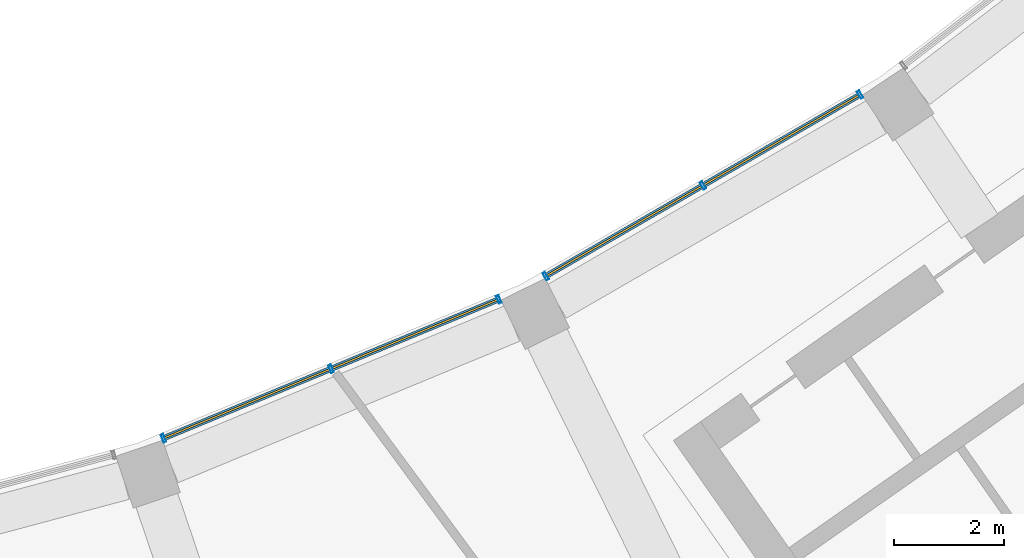
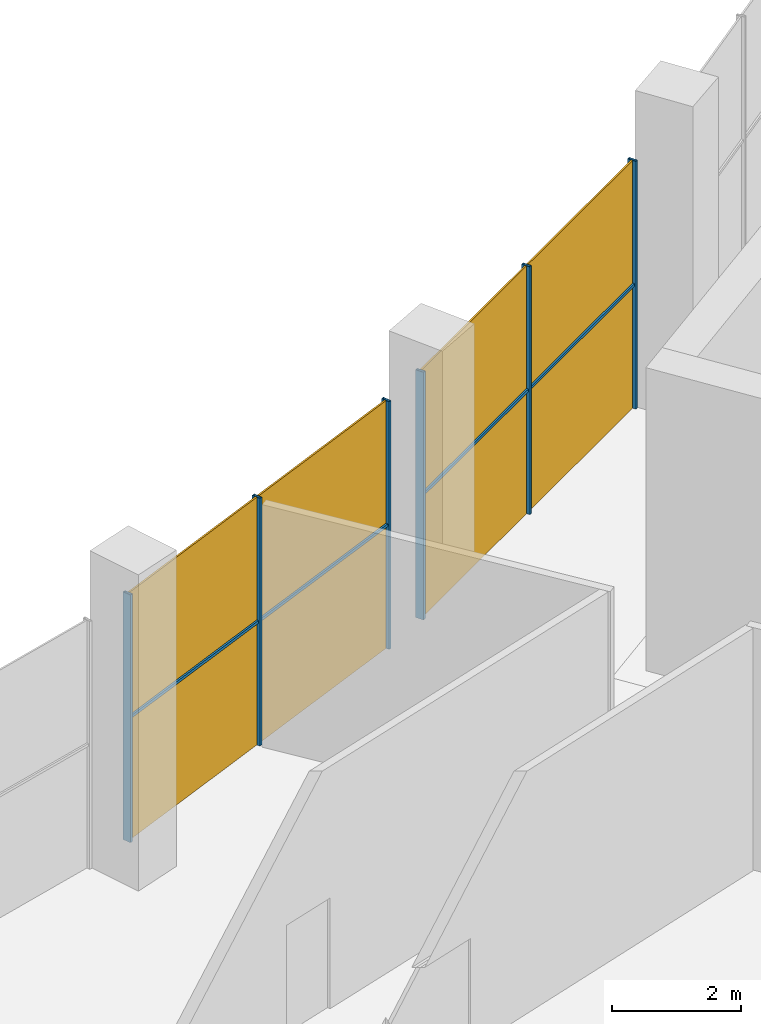
# One storey, part 34 of 41: 10 members, 2 curtain walls.
"""IFC4 building model written with IfcOpenShell, lengths in metres."""

import ifcopenshell
import ifcopenshell.guid

model = None  # the IFC model being written
_history = None  # IfcOwnerHistory: only IFC2X3 demands one
_inside = {}  # id of a spatial element -> (the spatial element, [elements in it])
_under = {}  # id of a project, library or spatial element -> (it, [spatial elements below it])
_declared = {}  # id of a project -> (the project, [libraries it declares])
_typed = {}  # id of a type object -> (the type object, [elements of that type])
_made_of = {}  # id of a material, layer set ... -> (it, [elements and type objects made of it])


def new_model(schema):
    """Start an empty IFC model of exactly this schema.

    Asked for "IFC4X3", IfcOpenShell would pick the latest addendum, in which some entities
    have other attributes; the version numbers below select the first issue.
    IFC2X3 requires an IfcOwnerHistory on every rooted entity: one is made here for all.
    """
    global model, _history
    if schema == "IFC4X3":
        model = ifcopenshell.file(schema_version=(4, 3, 0, 0))
    else:
        model = ifcopenshell.file(schema=schema)
    _inside.clear()
    _under.clear()
    _declared.clear()
    _typed.clear()
    _made_of.clear()
    _history = None
    if model.schema == "IFC2X3":
        org = make("IfcOrganization", Name="unknown")
        user = make(
            "IfcPersonAndOrganization",
            ThePerson=make("IfcPerson", FamilyName="unknown"),
            TheOrganization=org,
        )
        app = make(
            "IfcApplication",
            ApplicationDeveloper=org,
            Version="unknown",
            ApplicationFullName="unknown",
            ApplicationIdentifier="unknown",
        )
        _history = make(
            "IfcOwnerHistory",
            OwningUser=user,
            OwningApplication=app,
            ChangeAction="ADDED",
            CreationDate=0,
        )
    return model


def make(cls, **values):
    """One entity of the class cls with the attributes given. An attribute that is None is left unset."""
    return model.create_entity(
        cls, **{name: value for name, value in values.items() if value is not None}
    )


def rooted(cls, **values):
    """An entity with a GlobalId (a new one), such as an element, a storey or a relation."""
    return make(cls, GlobalId=ifcopenshell.guid.new(), OwnerHistory=_history, **values)


def si_unit(unit_type, name, prefix=None):
    """IfcSIUnit, for example si_unit("LENGTHUNIT", "METRE", prefix="MILLI")."""
    return make("IfcSIUnit", UnitType=unit_type, Prefix=prefix, Name=name)


def assignment(units):
    """IfcUnitAssignment: the units of a project."""
    return None if units is None else make("IfcUnitAssignment", Units=units)


def point(xyz):
    """IfcCartesianPoint."""
    return None if xyz is None else make("IfcCartesianPoint", Coordinates=xyz)


def direction(xyz):
    """IfcDirection."""
    return None if xyz is None else make("IfcDirection", DirectionRatios=xyz)


def frame(location, z_axis=None, x_axis=None):
    """IfcAxis2Placement3D, a coordinate frame: its origin and axes. An axis left out is left unset."""
    return make(
        "IfcAxis2Placement3D",
        Location=point(location),
        Axis=direction(z_axis),
        RefDirection=direction(x_axis),
    )


def frame_2d(location, x_axis=None):
    """IfcAxis2Placement2D, a coordinate frame in the plane: its origin and x axis."""
    return make(
        "IfcAxis2Placement2D", Location=point(location), RefDirection=direction(x_axis)
    )


def origin():
    """The frame at (0, 0, 0) with its axes left unset."""
    return frame((0.0, 0.0, 0.0))


def origin_2d():
    """The frame at (0, 0) in the plane with its x axis left unset."""
    return frame_2d((0.0, 0.0))


def place(relative_to, where):
    """IfcLocalPlacement: puts the frame where relative to a parent placement (None: the world)."""
    return make(
        "IfcLocalPlacement", PlacementRelTo=relative_to, RelativePlacement=where
    )


def context(
    kind, dimensions, precision=None, world=None, true_north=None, identifier=None
):
    """IfcGeometricRepresentationContext, for example the 3D "Model" context."""
    return make(
        "IfcGeometricRepresentationContext",
        ContextIdentifier=identifier,
        ContextType=kind,
        CoordinateSpaceDimension=dimensions,
        Precision=precision,
        WorldCoordinateSystem=world,
        TrueNorth=true_north,
    )


def subcontext(parent, identifier, kind, view, scale=None):
    """IfcGeometricRepresentationSubContext, for example "Body" below "Model"."""
    return make(
        "IfcGeometricRepresentationSubContext",
        ContextIdentifier=identifier,
        ContextType=kind,
        ParentContext=parent,
        TargetScale=scale,
        TargetView=view,
    )


def project(units=None, contexts=None):
    """IfcProject with its units and contexts."""
    return rooted(
        "IfcProject",
        Name="project",
        RepresentationContexts=contexts,
        UnitsInContext=assignment(units),
    )


def spatial(cls, under=None, at=None, **own):
    """A site, building, storey or space (cls), placed at a placement, below another one or the project."""
    s = rooted(cls, ObjectPlacement=at, **own)
    if under is not None:
        _under.setdefault(under.id(), (under, []))[1].append(s)
    return s


def profile(cls, at=None, kind="AREA", **sizes):
    """A parametric profile (cls). Its sizes go by their IFC names, for example OverallWidth=200.0."""
    return make(cls, ProfileType=kind, Position=at, **sizes)


def rectangle(**sizes):
    """IfcRectangleProfileDef."""
    return profile("IfcRectangleProfileDef", **sizes)


def hollow_rectangle(**sizes):
    """IfcRectangleHollowProfileDef."""
    return profile("IfcRectangleHollowProfileDef", **sizes)


def extrude(swept, where, along, depth):
    """IfcExtrudedAreaSolid: the profile swept, set in the frame where, extruded along a direction by depth."""
    return make(
        "IfcExtrudedAreaSolid",
        SweptArea=swept,
        Position=where,
        ExtrudedDirection=direction(along),
        Depth=depth,
    )


def shape(context_of_items, identifier, shape_type, items):
    """IfcShapeRepresentation: the items that make up one representation, for example the "Body"."""
    return make(
        "IfcShapeRepresentation",
        ContextOfItems=context_of_items,
        RepresentationIdentifier=identifier,
        RepresentationType=shape_type,
        Items=items,
    )


def material(Name=None, Category=None):
    """IfcMaterial."""
    return make("IfcMaterial", Name=Name, Category=Category)


def material_profile(
    of_material, cross_section, Name=None, Category=None, Priority=None
):
    """IfcMaterialProfile: a cross section and its material."""
    return make(
        "IfcMaterialProfile",
        Name=Name,
        Material=of_material,
        Profile=cross_section,
        Priority=Priority,
        Category=Category,
    )


def profile_set(profiles, Name=None, composite=None):
    """IfcMaterialProfileSet."""
    return make(
        "IfcMaterialProfileSet",
        Name=Name,
        MaterialProfiles=profiles,
        CompositeProfile=composite,
    )


def made_of(thing, what):
    """Note that an element or type object is made of a material, layer set ...; save() writes the relation."""
    if what is not None:
        _made_of.setdefault(what.id(), (what, []))[1].append(thing)
    return thing


def type_object(cls, material=None, **own):
    """A type object (cls), such as IfcWallType, which elements share."""
    return made_of(rooted(cls, **own), material)


def element(
    cls,
    number,
    at=None,
    inside=None,
    cuts=None,
    type_object=None,
    material=None,
    context=None,
    identifier="Body",
    shape_type=None,
    held_by="IfcProductDefinitionShape",
    body=None,
    shapes=None,
    **own,
):
    """One element of the class cls, such as IfcWall. Its Tag is "e" and its number.

    at: its placement. inside: the storey or other place that contains it. cuts: it is an
    opening in that element (IfcRelVoidsElement). A single representation is given by context,
    identifier, shape_type and body (its items); several are given by shapes. held_by: the class
    of the entity that holds the representations. save() writes the other relations.
    """
    e = rooted(cls, Tag="e%d" % number, ObjectPlacement=at, **own)
    if body is not None:
        shapes = [shape(context, identifier, shape_type, body)]
    if shapes is not None:
        e.Representation = make(held_by, Representations=shapes)
    if inside is not None:
        _inside.setdefault(inside.id(), (inside, []))[1].append(e)
    if cuts is not None:
        rooted(
            "IfcRelVoidsElement", RelatingBuildingElement=cuts, RelatedOpeningElement=e
        )
    if type_object is not None:
        _typed.setdefault(type_object.id(), (type_object, []))[1].append(e)
    return made_of(e, material)


def aggregate(whole, parts):
    """IfcRelAggregates: a whole, such as a stair, and the parts it consists of."""
    return rooted("IfcRelAggregates", RelatingObject=whole, RelatedObjects=parts)


def save(model, path):
    """Write the relations noted so far, then the file.

    IfcRelAggregates (storeys below a building ...), IfcRelContainedInSpatialStructure (elements
    in a storey), IfcRelDefinesByType, IfcRelAssociatesMaterial and IfcRelDeclares: one each for
    every whole, place, type object, material and project.
    """
    for whole, parts in _under.values():
        aggregate(whole, parts)
    for where, things in _inside.values():
        rooted(
            "IfcRelContainedInSpatialStructure",
            RelatedElements=things,
            RelatingStructure=where,
        )
    for kind, things in _typed.values():
        rooted("IfcRelDefinesByType", RelatedObjects=things, RelatingType=kind)
    for what, things in _made_of.values():
        rooted("IfcRelAssociatesMaterial", RelatedObjects=things, RelatingMaterial=what)
    for by, libraries in _declared.values():
        rooted("IfcRelDeclares", RelatingContext=by, RelatedDefinitions=libraries)
    model.write(path)


model = new_model("IFC4")

# Units and contexts
model_context = context("Model", 3, precision=1e-05, world=origin(), true_north=direction((0.0, 1.0)))
body_context = subcontext(model_context, "Body", "Model", "MODEL_VIEW")
ifc_project = project(units=[si_unit("LENGTHUNIT", "METRE"), si_unit("AREAUNIT", "SQUARE_METRE"), si_unit("VOLUMEUNIT", "CUBIC_METRE"), si_unit("PLANEANGLEUNIT", "RADIAN"), si_unit("MASSUNIT", "GRAM", prefix="KILO")], contexts=[model_context])

# Member
ifc_material = material(Name="Steel S355", Category="steel")
ifc_material_profile_1 = material_profile(ifc_material, hollow_rectangle(XDim=0.14990234375, YDim=0.050048828125, WallThickness=0.0048828125, at=origin_2d()))
ifc_profile_set_1 = profile_set([ifc_material_profile_1], Name="Steel S355")
member_type_1 = type_object("IfcMemberType", Name="Mullion RHS 150x50x5 steel S355", PredefinedType="MULLION", material=ifc_profile_set_1)
site_placement = place(None, origin())
building_placement = place(site_placement, origin())
storey_placement = place(building_placement, frame((0.0, 0.0, 284.699951171875)))
member_1_placement = place(storey_placement, frame((19.00341796875, -54.5029296875, 0.0), z_axis=(0.0, 0.0, 1.0), x_axis=(-0.382683432365, 0.923879532511, 0.0)))
member_1 = element("IfcMember", 1, at=member_1_placement, type_object=member_type_1, Name="e-cw5-L69-in10/M00", PredefinedType="MULLION", context=body_context, shape_type="SweptSolid", body=[
    extrude(hollow_rectangle(XDim=0.14990234375, YDim=0.050048828125, WallThickness=0.0048828125, at=origin_2d()), origin(), (0.0, 0.0, 1.0), 4.699951171875),
])

member_2_placement = place(storey_placement, frame((22.052734375, -53.239990234375, 0.0), z_axis=(0.0, 0.0, 1.0), x_axis=(-0.382683432365, 0.923879532511, 0.0)))
member_2 = element("IfcMember", 2, at=member_2_placement, type_object=member_type_1, Name="e-cw5-L69-in10/M01", PredefinedType="MULLION", context=body_context, shape_type="SweptSolid", body=[
    extrude(hollow_rectangle(XDim=0.14990234375, YDim=0.050048828125, WallThickness=0.0048828125, at=origin_2d()), origin(), (0.0, 0.0, 1.0), 4.699951171875),
])

member_3_placement = place(storey_placement, frame((25.10205078125, -51.97705078125, 0.0), z_axis=(0.0, 0.0, 1.0), x_axis=(-0.382683432365, 0.923879532511, 0.0)))
member_3 = element("IfcMember", 3, at=member_3_placement, type_object=member_type_1, Name="e-cw5-L69-in10/M02", PredefinedType="MULLION", context=body_context, shape_type="SweptSolid", body=[
    extrude(hollow_rectangle(XDim=0.14990234375, YDim=0.050048828125, WallThickness=0.0048828125, at=origin_2d()), origin(), (0.0, 0.0, 1.0), 4.699951171875),
])

member_4_placement = place(storey_placement, frame((25.955078125, -51.556396484375, 0.0), z_axis=(0.0, 0.0, 1.0), x_axis=(-0.5, 0.866025403784, 0.0)))
member_4 = element("IfcMember", 4, at=member_4_placement, type_object=member_type_1, Name="e-cw5-L69-in11/M00", PredefinedType="MULLION", context=body_context, shape_type="SweptSolid", body=[
    extrude(hollow_rectangle(XDim=0.14990234375, YDim=0.050048828125, WallThickness=0.0048828125, at=origin_2d()), origin(), (0.0, 0.0, 1.0), 4.699951171875),
])

member_5_placement = place(storey_placement, frame((28.813232421875, -49.906005859375, 0.0), z_axis=(0.0, 0.0, 1.0), x_axis=(-0.5, 0.866025403784, 0.0)))
member_5 = element("IfcMember", 5, at=member_5_placement, type_object=member_type_1, Name="e-cw5-L69-in11/M01", PredefinedType="MULLION", context=body_context, shape_type="SweptSolid", body=[
    extrude(hollow_rectangle(XDim=0.14990234375, YDim=0.050048828125, WallThickness=0.0048828125, at=origin_2d()), origin(), (0.0, 0.0, 1.0), 4.699951171875),
])

member_6_placement = place(storey_placement, frame((31.671630859375, -48.255859375, 0.0), z_axis=(0.0, 0.0, 1.0), x_axis=(-0.5, 0.866025403784, 0.0)))
member_6 = element("IfcMember", 6, at=member_6_placement, type_object=member_type_1, Name="e-cw5-L69-in11/M02", PredefinedType="MULLION", context=body_context, shape_type="SweptSolid", body=[
    extrude(hollow_rectangle(XDim=0.14990234375, YDim=0.050048828125, WallThickness=0.0048828125, at=origin_2d()), origin(), (0.0, 0.0, 1.0), 4.699951171875),
])

ifc_material_profile_2 = material_profile(ifc_material, hollow_rectangle(XDim=0.10009765625, YDim=0.050048828125, WallThickness=0.00390625, at=origin_2d()))
ifc_profile_set_2 = profile_set([ifc_material_profile_2], Name="Steel S355")
member_type_2 = type_object("IfcMemberType", Name="Transom RHS 100x50x4 steel S355", PredefinedType="USERDEFINED", material=ifc_profile_set_2)
member_7_placement = place(storey_placement, frame((19.026611328125, -54.493408203125, 2.35009765625), z_axis=(0.923874933397, 0.382694535419, 0.0), x_axis=(-0.382694535419, 0.923874933397, 0.0)))
member_7 = element("IfcMember", 7, at=member_7_placement, type_object=member_type_2, Name="e-cw5-L69-in10/T00", ObjectType="TRANSOM", PredefinedType="USERDEFINED", context=body_context, shape_type="SweptSolid", body=[
    extrude(hollow_rectangle(XDim=0.10009765625, YDim=0.050048828125, WallThickness=0.00390625, at=origin_2d()), origin(), (0.0, 0.0, 1.0), 3.250244140625),
])

member_8_placement = place(storey_placement, frame((22.075927734375, -53.23046875, 2.35009765625), z_axis=(0.923874933397, 0.382694535419, 0.0), x_axis=(-0.382694535419, 0.923874933397, 0.0)))
member_8 = element("IfcMember", 8, at=member_8_placement, type_object=member_type_2, Name="e-cw5-L69-in10/T01", ObjectType="TRANSOM", PredefinedType="USERDEFINED", context=body_context, shape_type="SweptSolid", body=[
    extrude(hollow_rectangle(XDim=0.10009765625, YDim=0.050048828125, WallThickness=0.00390625, at=origin_2d()), origin(), (0.0, 0.0, 1.0), 3.250244140625),
])

member_9_placement = place(storey_placement, frame((25.9765625, -51.543701171875, 2.35009765625), z_axis=(0.866039256137, 0.499976006253, 0.0), x_axis=(-0.499976006253, 0.866039256137, 0.0)))
member_9 = element("IfcMember", 9, at=member_9_placement, type_object=member_type_2, Name="e-cw5-L69-in11/T00", ObjectType="TRANSOM", PredefinedType="USERDEFINED", context=body_context, shape_type="SweptSolid", body=[
    extrude(hollow_rectangle(XDim=0.10009765625, YDim=0.050048828125, WallThickness=0.00390625, at=origin_2d()), origin(), (0.0, 0.0, 1.0), 3.250732421875),
])

member_10_placement = place(storey_placement, frame((28.8349609375, -49.8935546875, 2.35009765625), z_axis=(0.866020479782, 0.500008528526, 0.0), x_axis=(-0.500008528526, 0.866020479782, 0.0)))
member_10 = element("IfcMember", 10, at=member_10_placement, type_object=member_type_2, Name="e-cw5-L69-in11/T01", ObjectType="TRANSOM", PredefinedType="USERDEFINED", context=body_context, shape_type="SweptSolid", body=[
    extrude(hollow_rectangle(XDim=0.10009765625, YDim=0.050048828125, WallThickness=0.00390625, at=origin_2d()), origin(), (0.0, 0.0, 1.0), 3.25048828125),
])

# Site, building, storey
site = spatial("IfcSite", under=ifc_project, at=site_placement, CompositionType="ELEMENT")
building = spatial("IfcBuilding", under=site, at=building_placement, Name="Qamariyya Broadcast Tower", CompositionType="ELEMENT")
storey = spatial("IfcBuildingStorey", under=building, at=storey_placement, Name="L69", CompositionType="ELEMENT", Elevation=284.699951171875)

# Curtain wall
curtain_wall_type = type_object("IfcCurtainWallType", Name="Observation gallery all-glass wall, steel mullions", PredefinedType="NOTDEFINED", material=ifc_material)
curtain_wall_1_placement = place(storey_placement, origin())
curtain_wall_1 = element("IfcCurtainWall", 11, at=curtain_wall_1_placement, inside=storey, type_object=curtain_wall_type, Name="e-cw5-L69-in10", PredefinedType="NOTDEFINED", context=body_context, shape_type="SweptSolid", body=[
    extrude(rectangle(XDim=3.25048828125, YDim=0.031982421875, at=origin_2d()), frame((20.528076171875, -53.87158203125, 0.0), x_axis=(0.923865605463, 0.382717053503, 0.0)), (0.0, 0.0, 1.0), 2.324951171875),
    extrude(rectangle(XDim=3.25048828125, YDim=0.031982421875, at=origin_2d()), frame((20.528076171875, -53.87158203125, 2.375), x_axis=(0.923865605463, 0.382717053503, 0.0)), (0.0, 0.0, 1.0), 2.324951171875),
    extrude(rectangle(XDim=3.25048828125, YDim=0.031982421875, at=origin_2d()), frame((23.577392578125, -52.6083984375, 0.0), x_axis=(0.923865605463, 0.382717053503, 0.0)), (0.0, 0.0, 1.0), 2.324951171875),
    extrude(rectangle(XDim=3.25048828125, YDim=0.031982421875, at=origin_2d()), frame((23.577392578125, -52.6083984375, 2.375), x_axis=(0.923865605463, 0.382717053503, 0.0)), (0.0, 0.0, 1.0), 2.324951171875),
])

aggregate(curtain_wall_1, [member_1, member_2, member_3, member_7, member_8])

curtain_wall_2_placement = place(storey_placement, origin())
curtain_wall_2 = element("IfcCurtainWall", 12, at=curtain_wall_2_placement, inside=storey, type_object=curtain_wall_type, Name="e-cw5-L69-in11", PredefinedType="NOTDEFINED", context=body_context, shape_type="SweptSolid", body=[
    extrude(rectangle(XDim=3.25048828125, YDim=0.031982421875, at=origin_2d()), frame((27.38427734375, -50.731201171875, 0.0), x_axis=(0.866032157366, 0.499988302271, 0.0)), (0.0, 0.0, 1.0), 2.324951171875),
    extrude(rectangle(XDim=3.25048828125, YDim=0.031982421875, at=origin_2d()), frame((27.38427734375, -50.731201171875, 2.375), x_axis=(0.866032157366, 0.499988302271, 0.0)), (0.0, 0.0, 1.0), 2.324951171875),
    extrude(rectangle(XDim=3.25048828125, YDim=0.031982421875, at=origin_2d()), frame((30.242431640625, -49.0810546875, 0.0), x_axis=(0.866032157366, 0.499988302271, 0.0)), (0.0, 0.0, 1.0), 2.324951171875),
    extrude(rectangle(XDim=3.25048828125, YDim=0.031982421875, at=origin_2d()), frame((30.242431640625, -49.0810546875, 2.375), x_axis=(0.866032157366, 0.499988302271, 0.0)), (0.0, 0.0, 1.0), 2.324951171875),
])

aggregate(curtain_wall_2, [member_4, member_5, member_6, member_9, member_10])

save(model, "model.ifc")
